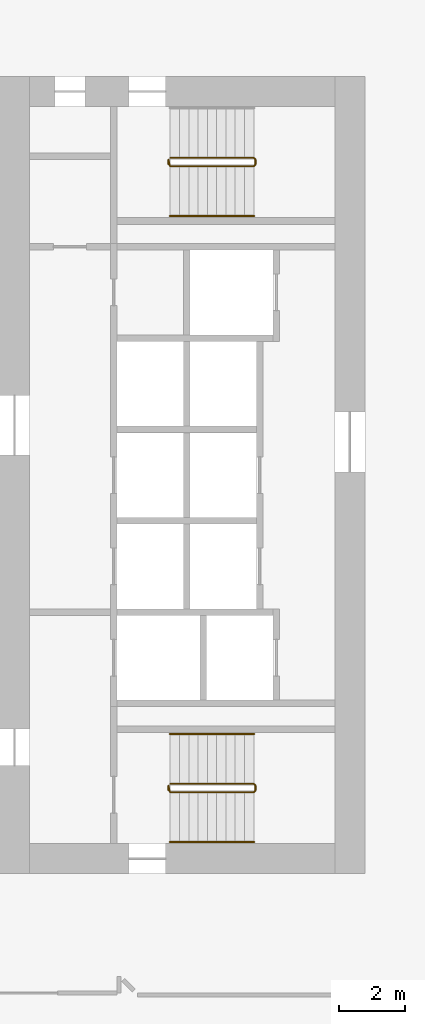
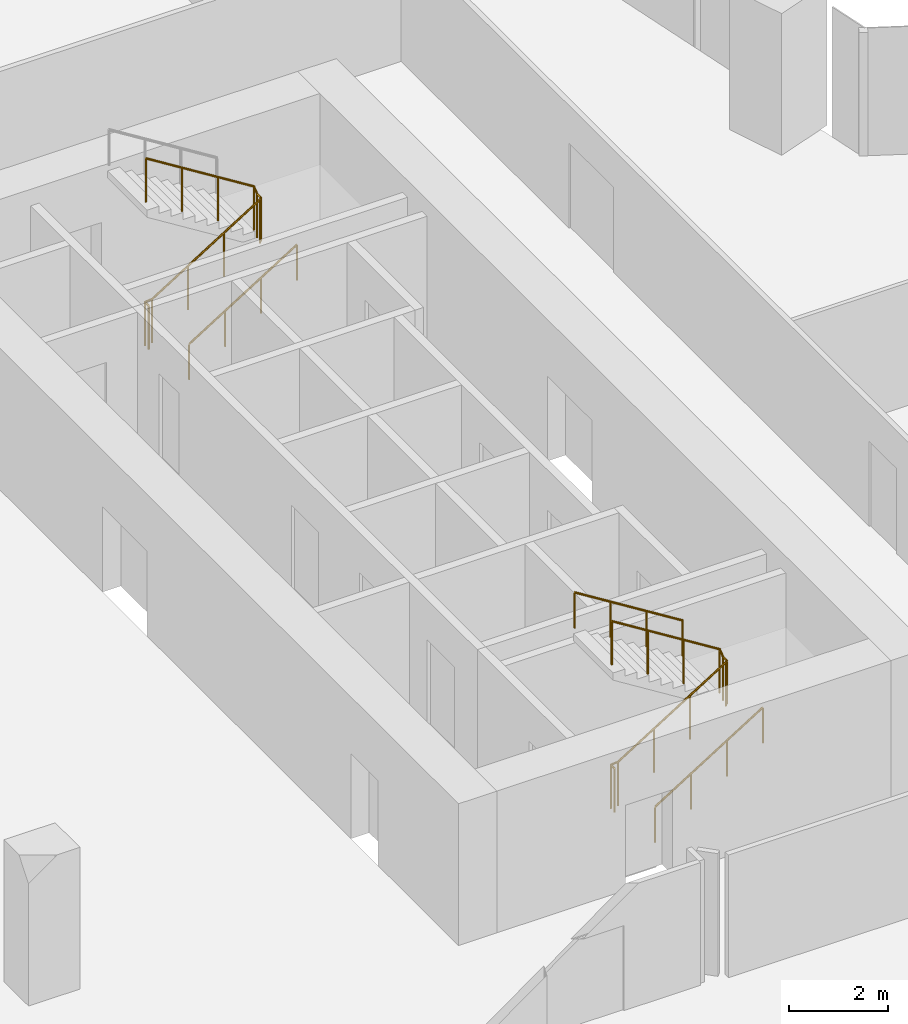
# One storey, part 36 of 38: 5 railings.
"""IFC4 building model written with IfcOpenShell, lengths in metres."""

from ifc_helpers import new_model, si_unit, direction, frame, origin, origin_2d, place, context, subcontext, project, spatial, circle, extrude, material, type_object, element, save


model = new_model("IFC4")

# Units and contexts
model_context = context("Model", 3, precision=1e-05, world=origin(), true_north=direction((0.0, 1.0)))
body_context = subcontext(model_context, "Body", "Model", "MODEL_VIEW")
ifc_project = project(units=[si_unit("LENGTHUNIT", "METRE"), si_unit("AREAUNIT", "SQUARE_METRE"), si_unit("VOLUMEUNIT", "CUBIC_METRE"), si_unit("PLANEANGLEUNIT", "RADIAN"), si_unit("MASSUNIT", "GRAM", prefix="KILO")], contexts=[model_context])

# Site, building, storey
site_placement = place(None, origin())
site = spatial("IfcSite", under=ifc_project, at=site_placement, CompositionType="ELEMENT")
building_placement = place(site_placement, origin())
building = spatial("IfcBuilding", under=site, at=building_placement, Name="Orlundy Tower", CompositionType="ELEMENT")
storey_placement = place(building_placement, frame((0.0, 0.0, 69.300048828125)))
storey = spatial("IfcBuildingStorey", under=building, at=storey_placement, Name="L16", CompositionType="ELEMENT", Elevation=69.300048828125)

# Railings
ifc_material_1 = material(Name="Steel balustrade", Category="steel")
railing_type_1 = type_object("IfcRailingType", Name="Stair Guard 1100", PredefinedType="GUARDRAIL", material=ifc_material_1)
railing_1_placement = place(storey_placement, frame((13.090087890625, -9.5, 0.0)))
element("IfcRailing", 1, at=railing_1_placement, inside=storey, type_object=railing_type_1, Name="L16 ST-E1 stair guard 1", PredefinedType="GUARDRAIL", context=body_context, shape_type="SweptSolid", body=[
    extrude(circle(Radius=0.02392578125, at=origin_2d()), frame((0.0, 0.0, 1.076171875), z_axis=(0.0, 1.0, 0.0), x_axis=(-1.0, 0.0, 0.0)), (0.0, 0.0, 1.0), 0.14990234375),
    extrude(circle(Radius=0.02392578125, at=origin_2d()), frame((0.0, 0.14990234375, 1.076171875), z_axis=(0.18420542264, -0.739530593833, 0.647427882513), x_axis=(0.970351222016, 0.241699205484, 0.0)), (0.0, 0.0, 1.0), 0.270263671875),
    extrude(circle(Radius=0.02392578125, at=origin_2d()), frame((0.0498046875, -0.050048828125, 1.2509765625), z_axis=(0.848007534815, 0.0, 0.529984170421), x_axis=(0.0, 1.0, 0.0)), (0.0, 0.0, 1.0), 2.9716796875),
    extrude(circle(Radius=0.02392578125, at=origin_2d()), frame((2.56982421875, -0.050048828125, 2.826171875), z_axis=(0.707106781187, 0.707106781187, 0.0), x_axis=(-0.707106781187, 0.707106781187, 0.0)), (0.0, 0.0, 1.0), 0.07080078125),
    extrude(circle(Radius=0.02392578125, at=origin_2d()), frame((2.619873046875, 0.0, 2.826171875), z_axis=(0.0, 1.0, 0.0), x_axis=(-1.0, 0.0, 0.0)), (0.0, 0.0, 1.0), 0.14990234375),
    extrude(circle(Radius=0.02392578125, at=origin_2d()), frame((2.619873046875, 0.14990234375, 2.826171875), z_axis=(-0.265065253269, 0.265065253269, 0.927081885822), x_axis=(-0.707106781187, -0.707106781187, 0.0)), (0.0, 0.0, 1.0), 0.188720703125),
    extrude(circle(Radius=0.02392578125, at=origin_2d()), frame((2.56982421875, 0.199951171875, 3.0009765625), z_axis=(-0.848007534815, 0.0, 0.529984170421), x_axis=(0.0, -1.0, 0.0)), (0.0, 0.0, 1.0), 2.9716796875),
    extrude(circle(Radius=0.02099609375, at=origin_2d()), origin(), (0.0, 0.0, 1.0), 1.052001953125),
    extrude(circle(Radius=0.02099609375, at=origin_2d()), frame((0.0, 0.14990234375, 0.0)), (0.0, 0.0, 1.0), 1.052001953125),
    extrude(circle(Radius=0.02099609375, at=origin_2d()), frame((0.0498046875, -0.050048828125, 0.175048828125)), (0.0, 0.0, 1.0), 1.052001953125),
    extrude(circle(Radius=0.02099609375, at=origin_2d()), frame((0.889892578125, -0.050048828125, 0.699951171875)), (0.0, 0.0, 1.0), 1.052001953125),
    extrude(circle(Radius=0.02099609375, at=origin_2d()), frame((1.729736328125, -0.050048828125, 1.22509765625)), (0.0, 0.0, 1.0), 1.052001953125),
    extrude(circle(Radius=0.02099609375, at=origin_2d()), frame((2.56982421875, -0.050048828125, 1.75)), (0.0, 0.0, 1.0), 1.052001953125),
    extrude(circle(Radius=0.02099609375, at=origin_2d()), frame((2.619873046875, 0.0, 1.75)), (0.0, 0.0, 1.0), 1.052001953125),
    extrude(circle(Radius=0.02099609375, at=origin_2d()), frame((2.619873046875, 0.14990234375, 1.75)), (0.0, 0.0, 1.0), 1.052001953125),
    extrude(circle(Radius=0.02099609375, at=origin_2d()), frame((2.56982421875, 0.199951171875, 1.925048828125)), (0.0, 0.0, 1.0), 1.052001953125),
    extrude(circle(Radius=0.02099609375, at=origin_2d()), frame((1.729736328125, 0.199951171875, 2.449951171875)), (0.0, 0.0, 1.0), 1.052001953125),
    extrude(circle(Radius=0.02099609375, at=origin_2d()), frame((0.889892578125, 0.199951171875, 2.97509765625)), (0.0, 0.0, 1.0), 1.052001953125),
    extrude(circle(Radius=0.02099609375, at=origin_2d()), frame((0.0498046875, 0.199951171875, 3.5)), (0.0, 0.0, 1.0), 1.052001953125),
])
railing_2_placement = place(storey_placement, frame((13.090087890625, 9.35009765625, 0.0)))
element("IfcRailing", 2, at=railing_2_placement, inside=storey, type_object=railing_type_1, Name="L16 ST-E2 stair guard 1", PredefinedType="GUARDRAIL", context=body_context, shape_type="SweptSolid", body=[
    extrude(circle(Radius=0.02392578125, at=origin_2d()), frame((0.0, 0.0, 1.076171875), z_axis=(0.0, 1.0, 0.0), x_axis=(-1.0, 0.0, 0.0)), (0.0, 0.0, 1.0), 0.14990234375),
    extrude(circle(Radius=0.02392578125, at=origin_2d()), frame((0.0, 0.14990234375, 1.076171875), z_axis=(0.18420542264, -0.739530593833, 0.647427882513), x_axis=(0.970351222016, 0.241699205484, 0.0)), (0.0, 0.0, 1.0), 0.270263671875),
    extrude(circle(Radius=0.02392578125, at=origin_2d()), frame((0.0498046875, -0.050048828125, 1.2509765625), z_axis=(0.848007534815, 0.0, 0.529984170421), x_axis=(0.0, 1.0, 0.0)), (0.0, 0.0, 1.0), 2.9716796875),
    extrude(circle(Radius=0.02392578125, at=origin_2d()), frame((2.56982421875, -0.050048828125, 2.826171875), z_axis=(0.707106781187, 0.707106781187, 0.0), x_axis=(-0.707106781187, 0.707106781187, 0.0)), (0.0, 0.0, 1.0), 0.07080078125),
    extrude(circle(Radius=0.02392578125, at=origin_2d()), frame((2.619873046875, 0.0, 2.826171875), z_axis=(0.0, 1.0, 0.0), x_axis=(-1.0, 0.0, 0.0)), (0.0, 0.0, 1.0), 0.14990234375),
    extrude(circle(Radius=0.02392578125, at=origin_2d()), frame((2.619873046875, 0.14990234375, 2.826171875), z_axis=(-0.265065253269, 0.265065253269, 0.927081885822), x_axis=(-0.707106781187, -0.707106781187, 0.0)), (0.0, 0.0, 1.0), 0.188720703125),
    extrude(circle(Radius=0.02392578125, at=origin_2d()), frame((2.56982421875, 0.199951171875, 3.0009765625), z_axis=(-0.848007534815, 0.0, 0.529984170421), x_axis=(0.0, -1.0, 0.0)), (0.0, 0.0, 1.0), 2.9716796875),
    extrude(circle(Radius=0.02099609375, at=origin_2d()), origin(), (0.0, 0.0, 1.0), 1.052001953125),
    extrude(circle(Radius=0.02099609375, at=origin_2d()), frame((0.0, 0.14990234375, 0.0)), (0.0, 0.0, 1.0), 1.052001953125),
    extrude(circle(Radius=0.02099609375, at=origin_2d()), frame((0.0498046875, -0.050048828125, 0.175048828125)), (0.0, 0.0, 1.0), 1.052001953125),
    extrude(circle(Radius=0.02099609375, at=origin_2d()), frame((0.889892578125, -0.050048828125, 0.699951171875)), (0.0, 0.0, 1.0), 1.052001953125),
    extrude(circle(Radius=0.02099609375, at=origin_2d()), frame((1.729736328125, -0.050048828125, 1.22509765625)), (0.0, 0.0, 1.0), 1.052001953125),
    extrude(circle(Radius=0.02099609375, at=origin_2d()), frame((2.56982421875, -0.050048828125, 1.75)), (0.0, 0.0, 1.0), 1.052001953125),
    extrude(circle(Radius=0.02099609375, at=origin_2d()), frame((2.619873046875, 0.0, 1.75)), (0.0, 0.0, 1.0), 1.052001953125),
    extrude(circle(Radius=0.02099609375, at=origin_2d()), frame((2.619873046875, 0.14990234375, 1.75)), (0.0, 0.0, 1.0), 1.052001953125),
    extrude(circle(Radius=0.02099609375, at=origin_2d()), frame((2.56982421875, 0.199951171875, 1.925048828125)), (0.0, 0.0, 1.0), 1.052001953125),
    extrude(circle(Radius=0.02099609375, at=origin_2d()), frame((1.729736328125, 0.199951171875, 2.449951171875)), (0.0, 0.0, 1.0), 1.052001953125),
    extrude(circle(Radius=0.02099609375, at=origin_2d()), frame((0.889892578125, 0.199951171875, 2.97509765625)), (0.0, 0.0, 1.0), 1.052001953125),
    extrude(circle(Radius=0.02099609375, at=origin_2d()), frame((0.0498046875, 0.199951171875, 3.5)), (0.0, 0.0, 1.0), 1.052001953125),
])
ifc_material_2 = material(Name="Steel handrail", Category="steel")
railing_type_2 = type_object("IfcRailingType", Name="Stair Handrail 900", PredefinedType="HANDRAIL", material=ifc_material_2)
railing_3_placement = place(storey_placement, frame((13.139892578125, -11.050048828125, 0.175048828125)))
element("IfcRailing", 3, at=railing_3_placement, inside=storey, type_object=railing_type_2, Name="L16 ST-E1 stair handrail 1", PredefinedType="HANDRAIL", context=body_context, shape_type="SweptSolid", body=[
    extrude(circle(Radius=0.02392578125, at=origin_2d()), frame((0.0, 0.0, 0.8759765625), z_axis=(0.848007534815, 0.0, 0.529984170421), x_axis=(0.0, 1.0, 0.0)), (0.0, 0.0, 1.0), 2.9716796875),
    extrude(circle(Radius=0.02099609375, at=origin_2d()), origin(), (0.0, 0.0, 1.0), 0.851806640625),
    extrude(circle(Radius=0.02099609375, at=origin_2d()), frame((0.840087890625, 0.0, 0.52490234375)), (0.0, 0.0, 1.0), 0.851806640625),
    extrude(circle(Radius=0.02099609375, at=origin_2d()), frame((1.679931640625, 0.0, 1.050048828125)), (0.0, 0.0, 1.0), 0.851806640625),
    extrude(circle(Radius=0.02099609375, at=origin_2d()), frame((2.52001953125, 0.0, 1.574951171875)), (0.0, 0.0, 1.0), 0.851806640625),
])
railing_4_placement = place(storey_placement, frame((15.659912109375, -7.800048828125, 1.925048828125)))
element("IfcRailing", 4, at=railing_4_placement, inside=storey, type_object=railing_type_2, Name="L16 ST-E1 stair handrail 2", PredefinedType="HANDRAIL", context=body_context, shape_type="SweptSolid", body=[
    extrude(circle(Radius=0.02392578125, at=origin_2d()), frame((0.0, 0.0, 0.8759765625), z_axis=(-0.848007534815, 0.0, 0.529984170421), x_axis=(0.0, -1.0, 0.0)), (0.0, 0.0, 1.0), 2.9716796875),
    extrude(circle(Radius=0.02099609375, at=origin_2d()), origin(), (0.0, 0.0, 1.0), 0.851806640625),
    extrude(circle(Radius=0.02099609375, at=origin_2d()), frame((-0.840087890625, 0.0, 0.52490234375)), (0.0, 0.0, 1.0), 0.851806640625),
    extrude(circle(Radius=0.02099609375, at=origin_2d()), frame((-1.679931640625, 0.0, 1.050048828125)), (0.0, 0.0, 1.0), 0.851806640625),
    extrude(circle(Radius=0.02099609375, at=origin_2d()), frame((-2.52001953125, 0.0, 1.574951171875)), (0.0, 0.0, 1.0), 0.851806640625),
])
railing_5_placement = place(storey_placement, frame((13.139892578125, 7.800048828125, 0.175048828125)))
element("IfcRailing", 5, at=railing_5_placement, inside=storey, type_object=railing_type_2, Name="L16 ST-E2 stair handrail 1", PredefinedType="HANDRAIL", context=body_context, shape_type="SweptSolid", body=[
    extrude(circle(Radius=0.02392578125, at=origin_2d()), frame((0.0, 0.0, 0.8759765625), z_axis=(0.848007534815, 0.0, 0.529984170421), x_axis=(0.0, 1.0, 0.0)), (0.0, 0.0, 1.0), 2.9716796875),
    extrude(circle(Radius=0.02099609375, at=origin_2d()), origin(), (0.0, 0.0, 1.0), 0.851806640625),
    extrude(circle(Radius=0.02099609375, at=origin_2d()), frame((0.840087890625, 0.0, 0.52490234375)), (0.0, 0.0, 1.0), 0.851806640625),
    extrude(circle(Radius=0.02099609375, at=origin_2d()), frame((1.679931640625, 0.0, 1.050048828125)), (0.0, 0.0, 1.0), 0.851806640625),
    extrude(circle(Radius=0.02099609375, at=origin_2d()), frame((2.52001953125, 0.0, 1.574951171875)), (0.0, 0.0, 1.0), 0.851806640625),
])

save(model, "model.ifc")
